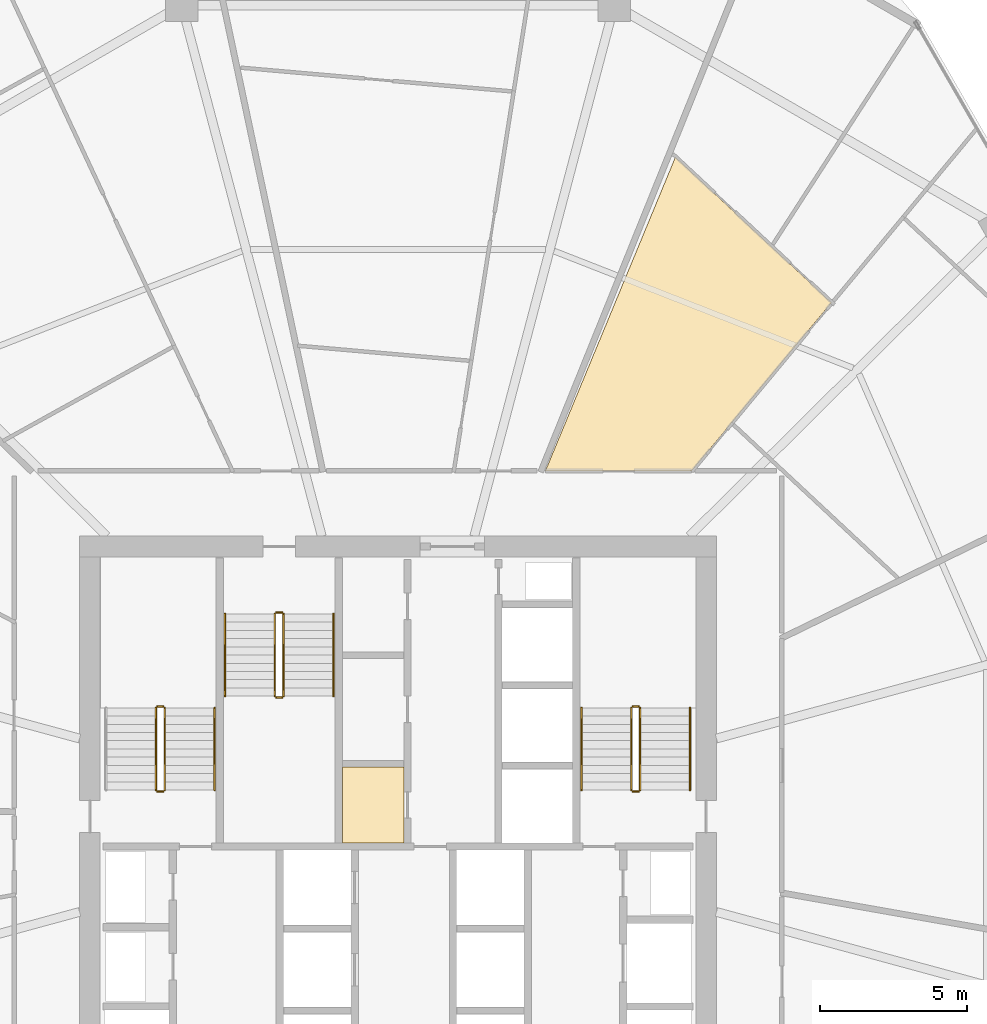
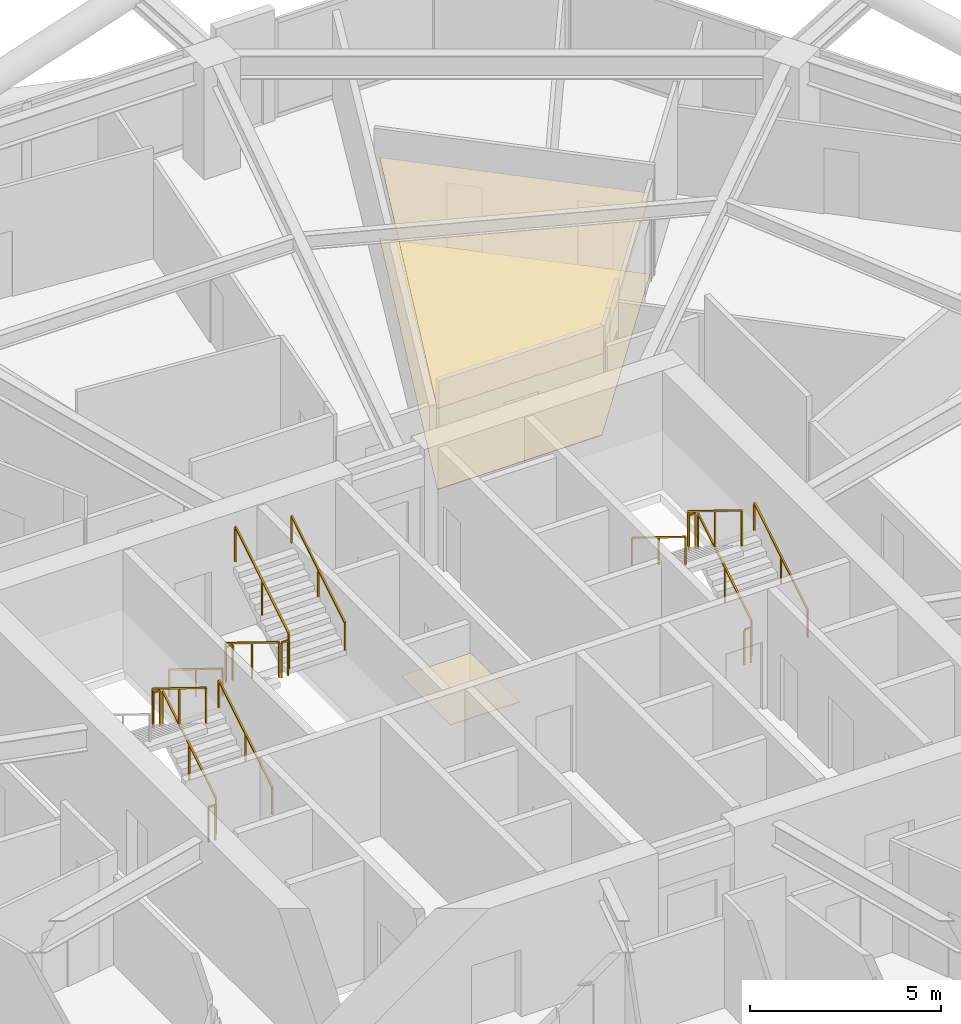
# One storey, part 34 of 35: 17 railings, 3 coverings.
"""IFC4 building model written with IfcOpenShell, lengths in metres."""

import ifcopenshell
import ifcopenshell.guid

model = None  # the IFC model being written
_history = None  # IfcOwnerHistory: only IFC2X3 demands one
_inside = {}  # id of a spatial element -> (the spatial element, [elements in it])
_under = {}  # id of a project, library or spatial element -> (it, [spatial elements below it])
_declared = {}  # id of a project -> (the project, [libraries it declares])
_typed = {}  # id of a type object -> (the type object, [elements of that type])
_made_of = {}  # id of a material, layer set ... -> (it, [elements and type objects made of it])


def new_model(schema):
    """Start an empty IFC model of exactly this schema.

    Asked for "IFC4X3", IfcOpenShell would pick the latest addendum, in which some entities
    have other attributes; the version numbers below select the first issue.
    IFC2X3 requires an IfcOwnerHistory on every rooted entity: one is made here for all.
    """
    global model, _history
    if schema == "IFC4X3":
        model = ifcopenshell.file(schema_version=(4, 3, 0, 0))
    else:
        model = ifcopenshell.file(schema=schema)
    _inside.clear()
    _under.clear()
    _declared.clear()
    _typed.clear()
    _made_of.clear()
    _history = None
    if model.schema == "IFC2X3":
        org = make("IfcOrganization", Name="unknown")
        user = make(
            "IfcPersonAndOrganization",
            ThePerson=make("IfcPerson", FamilyName="unknown"),
            TheOrganization=org,
        )
        app = make(
            "IfcApplication",
            ApplicationDeveloper=org,
            Version="unknown",
            ApplicationFullName="unknown",
            ApplicationIdentifier="unknown",
        )
        _history = make(
            "IfcOwnerHistory",
            OwningUser=user,
            OwningApplication=app,
            ChangeAction="ADDED",
            CreationDate=0,
        )
    return model


def make(cls, **values):
    """One entity of the class cls with the attributes given. An attribute that is None is left unset."""
    return model.create_entity(
        cls, **{name: value for name, value in values.items() if value is not None}
    )


def rooted(cls, **values):
    """An entity with a GlobalId (a new one), such as an element, a storey or a relation."""
    return make(cls, GlobalId=ifcopenshell.guid.new(), OwnerHistory=_history, **values)


def si_unit(unit_type, name, prefix=None):
    """IfcSIUnit, for example si_unit("LENGTHUNIT", "METRE", prefix="MILLI")."""
    return make("IfcSIUnit", UnitType=unit_type, Prefix=prefix, Name=name)


def assignment(units):
    """IfcUnitAssignment: the units of a project."""
    return None if units is None else make("IfcUnitAssignment", Units=units)


def point(xyz):
    """IfcCartesianPoint."""
    return None if xyz is None else make("IfcCartesianPoint", Coordinates=xyz)


def direction(xyz):
    """IfcDirection."""
    return None if xyz is None else make("IfcDirection", DirectionRatios=xyz)


def frame(location, z_axis=None, x_axis=None):
    """IfcAxis2Placement3D, a coordinate frame: its origin and axes. An axis left out is left unset."""
    return make(
        "IfcAxis2Placement3D",
        Location=point(location),
        Axis=direction(z_axis),
        RefDirection=direction(x_axis),
    )


def frame_2d(location, x_axis=None):
    """IfcAxis2Placement2D, a coordinate frame in the plane: its origin and x axis."""
    return make(
        "IfcAxis2Placement2D", Location=point(location), RefDirection=direction(x_axis)
    )


def origin():
    """The frame at (0, 0, 0) with its axes left unset."""
    return frame((0.0, 0.0, 0.0))


def origin_2d():
    """The frame at (0, 0) in the plane with its x axis left unset."""
    return frame_2d((0.0, 0.0))


def place(relative_to, where):
    """IfcLocalPlacement: puts the frame where relative to a parent placement (None: the world)."""
    return make(
        "IfcLocalPlacement", PlacementRelTo=relative_to, RelativePlacement=where
    )


def context(
    kind, dimensions, precision=None, world=None, true_north=None, identifier=None
):
    """IfcGeometricRepresentationContext, for example the 3D "Model" context."""
    return make(
        "IfcGeometricRepresentationContext",
        ContextIdentifier=identifier,
        ContextType=kind,
        CoordinateSpaceDimension=dimensions,
        Precision=precision,
        WorldCoordinateSystem=world,
        TrueNorth=true_north,
    )


def subcontext(parent, identifier, kind, view, scale=None):
    """IfcGeometricRepresentationSubContext, for example "Body" below "Model"."""
    return make(
        "IfcGeometricRepresentationSubContext",
        ContextIdentifier=identifier,
        ContextType=kind,
        ParentContext=parent,
        TargetScale=scale,
        TargetView=view,
    )


def project(units=None, contexts=None):
    """IfcProject with its units and contexts."""
    return rooted(
        "IfcProject",
        Name="project",
        RepresentationContexts=contexts,
        UnitsInContext=assignment(units),
    )


def spatial(cls, under=None, at=None, **own):
    """A site, building, storey or space (cls), placed at a placement, below another one or the project."""
    s = rooted(cls, ObjectPlacement=at, **own)
    if under is not None:
        _under.setdefault(under.id(), (under, []))[1].append(s)
    return s


def polyline(points):
    """IfcPolyline through the points."""
    return make("IfcPolyline", Points=[point(p) for p in points])


def profile(cls, at=None, kind="AREA", **sizes):
    """A parametric profile (cls). Its sizes go by their IFC names, for example OverallWidth=200.0."""
    return make(cls, ProfileType=kind, Position=at, **sizes)


def rectangle(**sizes):
    """IfcRectangleProfileDef."""
    return profile("IfcRectangleProfileDef", **sizes)


def outline(outer, holes=None, kind="AREA"):
    """IfcArbitraryClosedProfileDef: a profile drawn as a closed curve; with holes, ...WithVoids."""
    if holes is None:
        return make("IfcArbitraryClosedProfileDef", ProfileType=kind, OuterCurve=outer)
    return make(
        "IfcArbitraryProfileDefWithVoids",
        ProfileType=kind,
        OuterCurve=outer,
        InnerCurves=holes,
    )


def extrude(swept, where, along, depth):
    """IfcExtrudedAreaSolid: the profile swept, set in the frame where, extruded along a direction by depth."""
    return make(
        "IfcExtrudedAreaSolid",
        SweptArea=swept,
        Position=where,
        ExtrudedDirection=direction(along),
        Depth=depth,
    )


def shape(context_of_items, identifier, shape_type, items):
    """IfcShapeRepresentation: the items that make up one representation, for example the "Body"."""
    return make(
        "IfcShapeRepresentation",
        ContextOfItems=context_of_items,
        RepresentationIdentifier=identifier,
        RepresentationType=shape_type,
        Items=items,
    )


def material(Name=None, Category=None):
    """IfcMaterial."""
    return make("IfcMaterial", Name=Name, Category=Category)


def layer(
    of_material, thickness, ventilated=None, Name=None, Category=None, Priority=None
):
    """IfcMaterialLayer: one layer of a wall or slab, of a material (None: an air gap)."""
    return make(
        "IfcMaterialLayer",
        Material=of_material,
        LayerThickness=thickness,
        IsVentilated=ventilated,
        Name=Name,
        Category=Category,
        Priority=Priority,
    )


def layer_set(layers, Name=None):
    """IfcMaterialLayerSet."""
    return make("IfcMaterialLayerSet", MaterialLayers=layers, LayerSetName=Name)


def made_of(thing, what):
    """Note that an element or type object is made of a material, layer set ...; save() writes the relation."""
    if what is not None:
        _made_of.setdefault(what.id(), (what, []))[1].append(thing)
    return thing


def type_object(cls, material=None, **own):
    """A type object (cls), such as IfcWallType, which elements share."""
    return made_of(rooted(cls, **own), material)


def element(
    cls,
    number,
    at=None,
    inside=None,
    cuts=None,
    type_object=None,
    material=None,
    context=None,
    identifier="Body",
    shape_type=None,
    held_by="IfcProductDefinitionShape",
    body=None,
    shapes=None,
    **own,
):
    """One element of the class cls, such as IfcWall. Its Tag is "e" and its number.

    at: its placement. inside: the storey or other place that contains it. cuts: it is an
    opening in that element (IfcRelVoidsElement). A single representation is given by context,
    identifier, shape_type and body (its items); several are given by shapes. held_by: the class
    of the entity that holds the representations. save() writes the other relations.
    """
    e = rooted(cls, Tag="e%d" % number, ObjectPlacement=at, **own)
    if body is not None:
        shapes = [shape(context, identifier, shape_type, body)]
    if shapes is not None:
        e.Representation = make(held_by, Representations=shapes)
    if inside is not None:
        _inside.setdefault(inside.id(), (inside, []))[1].append(e)
    if cuts is not None:
        rooted(
            "IfcRelVoidsElement", RelatingBuildingElement=cuts, RelatedOpeningElement=e
        )
    if type_object is not None:
        _typed.setdefault(type_object.id(), (type_object, []))[1].append(e)
    return made_of(e, material)


def aggregate(whole, parts):
    """IfcRelAggregates: a whole, such as a stair, and the parts it consists of."""
    return rooted("IfcRelAggregates", RelatingObject=whole, RelatedObjects=parts)


def save(model, path):
    """Write the relations noted so far, then the file.

    IfcRelAggregates (storeys below a building ...), IfcRelContainedInSpatialStructure (elements
    in a storey), IfcRelDefinesByType, IfcRelAssociatesMaterial and IfcRelDeclares: one each for
    every whole, place, type object, material and project.
    """
    for whole, parts in _under.values():
        aggregate(whole, parts)
    for where, things in _inside.values():
        rooted(
            "IfcRelContainedInSpatialStructure",
            RelatedElements=things,
            RelatingStructure=where,
        )
    for kind, things in _typed.values():
        rooted("IfcRelDefinesByType", RelatedObjects=things, RelatingType=kind)
    for what, things in _made_of.values():
        rooted("IfcRelAssociatesMaterial", RelatedObjects=things, RelatingMaterial=what)
    for by, libraries in _declared.values():
        rooted("IfcRelDeclares", RelatingContext=by, RelatedDefinitions=libraries)
    model.write(path)


model = new_model("IFC4")

# Units and contexts
model_context = context("Model", 3, precision=1e-05, world=origin(), true_north=direction((0.0, 1.0)))
body_context = subcontext(model_context, "Body", "Model", "MODEL_VIEW")
ifc_project = project(units=[si_unit("LENGTHUNIT", "METRE"), si_unit("AREAUNIT", "SQUARE_METRE"), si_unit("VOLUMEUNIT", "CUBIC_METRE"), si_unit("PLANEANGLEUNIT", "RADIAN"), si_unit("MASSUNIT", "GRAM", prefix="KILO")], contexts=[model_context])

# Site, building, storey
site_placement = place(None, origin())
site = spatial("IfcSite", under=ifc_project, at=site_placement, CompositionType="ELEMENT")
building_placement = place(site_placement, origin())
building = spatial("IfcBuilding", under=site, at=building_placement, Name="Zuhravey Tower", CompositionType="ELEMENT")
storey_placement = place(building_placement, frame((0.0, 0.0, 138.0)))
storey = spatial("IfcBuildingStorey", under=building, at=storey_placement, Name="L34", CompositionType="ELEMENT", Elevation=138.0)

# Coverings
ifc_material_1 = material(Name="Mineral-fibre acoustic ceiling tile")
ifc_layer_1 = layer(ifc_material_1, 0.02490234375)
ifc_layer_set_1 = layer_set([ifc_layer_1], Name="Mineral-fibre acoustic ceiling tile")
covering_type_1 = type_object("IfcCoveringType", Name="Acoustic Suspended Ceiling", PredefinedType="CEILING", material=ifc_layer_set_1)
covering_1_placement = place(storey_placement, frame((0.0, 0.0, 2.590087890625)))
element("IfcCovering", 1, at=covering_1_placement, inside=storey, type_object=covering_type_1, Name="L34 Acoustic Suspended Ceiling CLG1", PredefinedType="CEILING", context=body_context, shape_type="SweptSolid", body=[
    extrude(outline(polyline([(46.010009765625, 44.080078125), (41.025390625, 44.080078125), (45.453125, 54.76953125), (50.77099609375, 49.810302734375), (46.010009765625, 44.080078125)])), origin(), (0.0, 0.0, 1.0), 0.02490234375),
])
ifc_material_2 = material(Name="Porcelain tile finish")
ifc_layer_2 = layer(ifc_material_2, 0.02001953125)
ifc_layer_set_2 = layer_set([ifc_layer_2], Name="Porcelain tile finish")
covering_type_2 = type_object("IfcCoveringType", Name="Apartment Ondol Porcelain Flooring", PredefinedType="FLOORING", material=ifc_layer_set_2)
covering_2_placement = place(storey_placement, origin())
element("IfcCovering", 2, at=covering_2_placement, inside=storey, type_object=covering_type_2, Name="L34 Principal Room Acoustic Flooring", PredefinedType="FLOORING", context=body_context, shape_type="SweptSolid", body=[
    extrude(outline(polyline([(46.010009765625, 44.080078125), (41.025390625, 44.080078125), (45.453125, 54.76953125), (50.77099609375, 49.810302734375), (46.010009765625, 44.080078125)])), origin(), (0.0, 0.0, 1.0), 0.02001953125),
])
ifc_material_3 = material(Name="Moisture-resistant gypsum ceiling board")
ifc_layer_3 = layer(ifc_material_3, 0.02001953125)
ifc_layer_set_3 = layer_set([ifc_layer_3], Name="Moisture-resistant gypsum ceiling board")
covering_type_3 = type_object("IfcCoveringType", Name="Moisture-Resistant Ceiling", PredefinedType="CEILING", material=ifc_layer_set_3)
covering_3_placement = place(storey_placement, frame((0.0, 0.0, 2.590087890625)))
element("IfcCovering", 3, at=covering_3_placement, inside=storey, type_object=covering_type_3, Name="L34 Wet-Room Ceiling CLG2", PredefinedType="CEILING", context=body_context, shape_type="SweptSolid", body=[
    extrude(outline(polyline([(36.199951171875, 31.39990234375), (36.199951171875, 33.97998046875), (34.10009765625, 33.97998046875), (34.10009765625, 31.39990234375), (36.199951171875, 31.39990234375)])), origin(), (0.0, 0.0, 1.0), 0.02001953125),
])

# Railings
ifc_material_4 = material(Name="Brushed stainless steel", Category="steel")
railing_type_1 = type_object("IfcRailingType", Name="Stair Wall Handrail 900", PredefinedType="HANDRAIL", material=ifc_material_4)
for number, where, name in (
    (4, (29.75, 33.199951171875, 0.172607421875), "L34 ST1 stair handrail 1"),
    (5, (45.949951171875, 33.199951171875, 0.172607421875), "L34 ST2 stair handrail 1"),
):
    element("IfcRailing", number, at=place(storey_placement, frame(where)), inside=storey, type_object=railing_type_1, Name=name, PredefinedType="HANDRAIL", context=body_context, shape_type="SweptSolid", body=[
        extrude(rectangle(XDim=0.048095703125, YDim=0.048095703125, at=origin_2d()), frame((0.0, 0.001708984375, 0.876953125), z_axis=(0.0, 0.851089632645, 0.525020415988), x_axis=(-1.0, 0.0, 0.0)), (0.0, 0.0, 1.0), 3.285888671875),
        extrude(rectangle(XDim=0.0419921875, YDim=0.0419921875, at=origin_2d()), origin(), (0.0, 0.0, 1.0), 0.849853515625),
        extrude(rectangle(XDim=0.0419921875, YDim=0.0419921875, at=origin_2d()), frame((0.0, 1.39990234375, 0.86376953125)), (0.0, 0.0, 1.0), 0.849853515625),
        extrude(rectangle(XDim=0.0419921875, YDim=0.0419921875, at=origin_2d()), frame((0.0, 2.800048828125, 1.727294921875)), (0.0, 0.0, 1.0), 0.849853515625),
    ])
for number, where, name in (
    (6, (42.25, 36.0, 2.07275390625), "L34 ST2 stair handrail 2"),
    (7, (30.10009765625, 39.199951171875, 0.172607421875), "L34 ST3 stair handrail 1"),
):
    element("IfcRailing", number, at=place(storey_placement, frame(where)), inside=storey, type_object=railing_type_1, Name=name, PredefinedType="HANDRAIL", context=body_context, shape_type="SweptSolid", body=[
        extrude(rectangle(XDim=0.048095703125, YDim=0.048095703125, at=origin_2d()), frame((0.0, -0.001708984375, 0.876953125), z_axis=(0.0, -0.851089632645, 0.525020415988), x_axis=(1.0, 0.0, 0.0)), (0.0, 0.0, 1.0), 3.285888671875),
        extrude(rectangle(XDim=0.0419921875, YDim=0.0419921875, at=origin_2d()), origin(), (0.0, 0.0, 1.0), 0.849853515625),
        extrude(rectangle(XDim=0.0419921875, YDim=0.0419921875, at=origin_2d()), frame((0.0, -1.39990234375, 0.86376953125)), (0.0, 0.0, 1.0), 0.849853515625),
        extrude(rectangle(XDim=0.0419921875, YDim=0.0419921875, at=origin_2d()), frame((0.0, -2.800048828125, 1.727294921875)), (0.0, 0.0, 1.0), 0.849853515625),
    ])
railing_1_placement = place(storey_placement, frame((33.800048828125, 36.39990234375, 2.07275390625)))
element("IfcRailing", 8, at=railing_1_placement, inside=storey, type_object=railing_type_1, Name="L34 ST3 stair handrail 2", PredefinedType="HANDRAIL", context=body_context, shape_type="SweptSolid", body=[
    extrude(rectangle(XDim=0.048095703125, YDim=0.048095703125, at=origin_2d()), frame((0.0, 0.001708984375, 0.876953125), z_axis=(0.0, 0.851089632645, 0.525020415988), x_axis=(-1.0, 0.0, 0.0)), (0.0, 0.0, 1.0), 3.285888671875),
    extrude(rectangle(XDim=0.0419921875, YDim=0.0419921875, at=origin_2d()), origin(), (0.0, 0.0, 1.0), 0.849853515625),
    extrude(rectangle(XDim=0.0419921875, YDim=0.0419921875, at=origin_2d()), frame((0.0, 1.39990234375, 0.86376953125)), (0.0, 0.0, 1.0), 0.849853515625),
    extrude(rectangle(XDim=0.0419921875, YDim=0.0419921875, at=origin_2d()), frame((0.0, 2.800048828125, 1.727294921875)), (0.0, 0.0, 1.0), 0.849853515625),
])
ifc_material_5 = material(Name="Painted tubular steel", Category="steel")
railing_type_2 = type_object("IfcRailingType", Name="Stair Well Guardrail 1150", PredefinedType="GUARDRAIL", material=ifc_material_5)
railing_2_placement = place(storey_placement, frame((28.050048828125, 33.199951171875, 0.172607421875)))
element("IfcRailing", 9, at=railing_2_placement, inside=storey, type_object=railing_type_2, Name="L34 ST1 stair guard 1", PredefinedType="GUARDRAIL", context=body_context, shape_type="SweptSolid", body=[
    extrude(rectangle(XDim=0.048095703125, YDim=0.048095703125, at=origin_2d()), frame((0.0, 0.001708984375, 1.126953125), z_axis=(0.0, 0.851089632645, 0.525020415988), x_axis=(-1.0, 0.0, 0.0)), (0.0, 0.0, 1.0), 3.285888671875),
    extrude(rectangle(XDim=0.0419921875, YDim=0.0419921875, at=origin_2d()), origin(), (0.0, 0.0, 1.0), 1.099853515625),
    extrude(rectangle(XDim=0.0419921875, YDim=0.0419921875, at=origin_2d()), frame((0.0, 1.39990234375, 0.86376953125)), (0.0, 0.0, 1.0), 1.099853515625),
    extrude(rectangle(XDim=0.0419921875, YDim=0.0419921875, at=origin_2d()), frame((0.0, 2.800048828125, 1.727294921875)), (0.0, 0.0, 1.0), 1.099853515625),
])
railing_3_placement = place(storey_placement, frame((28.0, 36.050048828125, 1.89990234375)))
element("IfcRailing", 10, at=railing_3_placement, inside=storey, type_object=railing_type_2, Name="L34 ST1 stair guard 2", PredefinedType="GUARDRAIL", context=body_context, shape_type="SweptSolid", body=[
    extrude(rectangle(XDim=0.048095703125, YDim=0.048095703125, at=origin_2d()), frame((-0.001953125, 0.0, 1.1259765625), z_axis=(-1.0, 0.0, 0.0), x_axis=(0.0, -1.0, 0.0)), (0.0, 0.0, 1.0), 0.196044921875),
    extrude(rectangle(XDim=0.0419921875, YDim=0.0419921875, at=origin_2d()), origin(), (0.0, 0.0, 1.0), 1.099853515625),
    extrude(rectangle(XDim=0.0419921875, YDim=0.0419921875, at=origin_2d()), frame((-0.199951171875, 0.0, 0.0)), (0.0, 0.0, 1.0), 1.099853515625),
])
railing_4_placement = place(storey_placement, frame((27.75, 36.0, 2.07275390625)))
element("IfcRailing", 11, at=railing_4_placement, inside=storey, type_object=railing_type_2, Name="L34 ST1 stair guard 3", PredefinedType="GUARDRAIL", context=body_context, shape_type="SweptSolid", body=[
    extrude(rectangle(XDim=0.048095703125, YDim=0.048095703125, at=origin_2d()), frame((0.0, -0.001708984375, 1.126953125), z_axis=(0.0, -0.851089632645, 0.525020415988), x_axis=(1.0, 0.0, 0.0)), (0.0, 0.0, 1.0), 3.285888671875),
    extrude(rectangle(XDim=0.0419921875, YDim=0.0419921875, at=origin_2d()), origin(), (0.0, 0.0, 1.0), 1.099853515625),
    extrude(rectangle(XDim=0.0419921875, YDim=0.0419921875, at=origin_2d()), frame((0.0, -1.39990234375, 0.86376953125)), (0.0, 0.0, 1.0), 1.099853515625),
    extrude(rectangle(XDim=0.0419921875, YDim=0.0419921875, at=origin_2d()), frame((0.0, -2.800048828125, 1.727294921875)), (0.0, 0.0, 1.0), 1.099853515625),
])
railing_5_placement = place(storey_placement, frame((28.0, 33.14990234375, 0.0)))
element("IfcRailing", 12, at=railing_5_placement, inside=storey, type_object=railing_type_2, Name="L34 ST1 stair guard 4", PredefinedType="GUARDRAIL", context=body_context, shape_type="SweptSolid", body=[
    extrude(rectangle(XDim=0.048095703125, YDim=0.048095703125, at=origin_2d()), frame((-0.001953125, 0.0, 1.1259765625), z_axis=(-1.0, 0.0, 0.0), x_axis=(0.0, -1.0, 0.0)), (0.0, 0.0, 1.0), 0.196044921875),
    extrude(rectangle(XDim=0.0419921875, YDim=0.0419921875, at=origin_2d()), origin(), (0.0, 0.0, 1.0), 1.099853515625),
    extrude(rectangle(XDim=0.0419921875, YDim=0.0419921875, at=origin_2d()), frame((-0.199951171875, 0.0, 0.0)), (0.0, 0.0, 1.0), 1.099853515625),
])
railing_6_placement = place(storey_placement, frame((44.25, 33.199951171875, 0.172607421875)))
element("IfcRailing", 13, at=railing_6_placement, inside=storey, type_object=railing_type_2, Name="L34 ST2 stair guard 1", PredefinedType="GUARDRAIL", context=body_context, shape_type="SweptSolid", body=[
    extrude(rectangle(XDim=0.048095703125, YDim=0.048095703125, at=origin_2d()), frame((0.0, 0.001708984375, 1.126953125), z_axis=(0.0, 0.851089632645, 0.525020415988), x_axis=(-1.0, 0.0, 0.0)), (0.0, 0.0, 1.0), 3.285888671875),
    extrude(rectangle(XDim=0.0419921875, YDim=0.0419921875, at=origin_2d()), origin(), (0.0, 0.0, 1.0), 1.099853515625),
    extrude(rectangle(XDim=0.0419921875, YDim=0.0419921875, at=origin_2d()), frame((0.0, 1.39990234375, 0.86376953125)), (0.0, 0.0, 1.0), 1.099853515625),
    extrude(rectangle(XDim=0.0419921875, YDim=0.0419921875, at=origin_2d()), frame((0.0, 2.800048828125, 1.727294921875)), (0.0, 0.0, 1.0), 1.099853515625),
])
railing_7_placement = place(storey_placement, frame((44.199951171875, 36.050048828125, 1.89990234375)))
element("IfcRailing", 14, at=railing_7_placement, inside=storey, type_object=railing_type_2, Name="L34 ST2 stair guard 2", PredefinedType="GUARDRAIL", context=body_context, shape_type="SweptSolid", body=[
    extrude(rectangle(XDim=0.048095703125, YDim=0.048095703125, at=origin_2d()), frame((-0.001953125, 0.0, 1.1259765625), z_axis=(-1.0, 0.0, 0.0), x_axis=(0.0, -1.0, 0.0)), (0.0, 0.0, 1.0), 0.196044921875),
    extrude(rectangle(XDim=0.0419921875, YDim=0.0419921875, at=origin_2d()), origin(), (0.0, 0.0, 1.0), 1.099853515625),
    extrude(rectangle(XDim=0.0419921875, YDim=0.0419921875, at=origin_2d()), frame((-0.199951171875, 0.0, 0.0)), (0.0, 0.0, 1.0), 1.099853515625),
])
railing_8_placement = place(storey_placement, frame((43.949951171875, 36.0, 2.07275390625)))
element("IfcRailing", 15, at=railing_8_placement, inside=storey, type_object=railing_type_2, Name="L34 ST2 stair guard 3", PredefinedType="GUARDRAIL", context=body_context, shape_type="SweptSolid", body=[
    extrude(rectangle(XDim=0.048095703125, YDim=0.048095703125, at=origin_2d()), frame((0.0, -0.001708984375, 1.126953125), z_axis=(0.0, -0.851089632645, 0.525020415988), x_axis=(1.0, 0.0, 0.0)), (0.0, 0.0, 1.0), 3.285888671875),
    extrude(rectangle(XDim=0.0419921875, YDim=0.0419921875, at=origin_2d()), origin(), (0.0, 0.0, 1.0), 1.099853515625),
    extrude(rectangle(XDim=0.0419921875, YDim=0.0419921875, at=origin_2d()), frame((0.0, -1.39990234375, 0.86376953125)), (0.0, 0.0, 1.0), 1.099853515625),
    extrude(rectangle(XDim=0.0419921875, YDim=0.0419921875, at=origin_2d()), frame((0.0, -2.800048828125, 1.727294921875)), (0.0, 0.0, 1.0), 1.099853515625),
])
railing_9_placement = place(storey_placement, frame((44.199951171875, 33.14990234375, 0.0)))
element("IfcRailing", 16, at=railing_9_placement, inside=storey, type_object=railing_type_2, Name="L34 ST2 stair guard 4", PredefinedType="GUARDRAIL", context=body_context, shape_type="SweptSolid", body=[
    extrude(rectangle(XDim=0.048095703125, YDim=0.048095703125, at=origin_2d()), frame((-0.001953125, 0.0, 1.1259765625), z_axis=(-1.0, 0.0, 0.0), x_axis=(0.0, -1.0, 0.0)), (0.0, 0.0, 1.0), 0.196044921875),
    extrude(rectangle(XDim=0.0419921875, YDim=0.0419921875, at=origin_2d()), origin(), (0.0, 0.0, 1.0), 1.099853515625),
    extrude(rectangle(XDim=0.0419921875, YDim=0.0419921875, at=origin_2d()), frame((-0.199951171875, 0.0, 0.0)), (0.0, 0.0, 1.0), 1.099853515625),
])
railing_10_placement = place(storey_placement, frame((31.800048828125, 39.199951171875, 0.172607421875)))
element("IfcRailing", 17, at=railing_10_placement, inside=storey, type_object=railing_type_2, Name="L34 ST3 stair guard 1", PredefinedType="GUARDRAIL", context=body_context, shape_type="SweptSolid", body=[
    extrude(rectangle(XDim=0.048095703125, YDim=0.048095703125, at=origin_2d()), frame((0.0, -0.001708984375, 1.126953125), z_axis=(0.0, -0.851089632645, 0.525020415988), x_axis=(1.0, 0.0, 0.0)), (0.0, 0.0, 1.0), 3.285888671875),
    extrude(rectangle(XDim=0.0419921875, YDim=0.0419921875, at=origin_2d()), origin(), (0.0, 0.0, 1.0), 1.099853515625),
    extrude(rectangle(XDim=0.0419921875, YDim=0.0419921875, at=origin_2d()), frame((0.0, -1.39990234375, 0.86376953125)), (0.0, 0.0, 1.0), 1.099853515625),
    extrude(rectangle(XDim=0.0419921875, YDim=0.0419921875, at=origin_2d()), frame((0.0, -2.800048828125, 1.727294921875)), (0.0, 0.0, 1.0), 1.099853515625),
])
railing_11_placement = place(storey_placement, frame((31.85009765625, 36.35009765625, 1.89990234375)))
element("IfcRailing", 18, at=railing_11_placement, inside=storey, type_object=railing_type_2, Name="L34 ST3 stair guard 2", PredefinedType="GUARDRAIL", context=body_context, shape_type="SweptSolid", body=[
    extrude(rectangle(XDim=0.048095703125, YDim=0.048095703125, at=origin_2d()), frame((0.001953125, 0.0, 1.1259765625), z_axis=(1.0, 0.0, 0.0), x_axis=(0.0, 1.0, 0.0)), (0.0, 0.0, 1.0), 0.196044921875),
    extrude(rectangle(XDim=0.0419921875, YDim=0.0419921875, at=origin_2d()), origin(), (0.0, 0.0, 1.0), 1.099853515625),
    extrude(rectangle(XDim=0.0419921875, YDim=0.0419921875, at=origin_2d()), frame((0.199951171875, 0.0, 0.0)), (0.0, 0.0, 1.0), 1.099853515625),
])
railing_12_placement = place(storey_placement, frame((32.10009765625, 36.39990234375, 2.07275390625)))
element("IfcRailing", 19, at=railing_12_placement, inside=storey, type_object=railing_type_2, Name="L34 ST3 stair guard 3", PredefinedType="GUARDRAIL", context=body_context, shape_type="SweptSolid", body=[
    extrude(rectangle(XDim=0.048095703125, YDim=0.048095703125, at=origin_2d()), frame((0.0, 0.001708984375, 1.126953125), z_axis=(0.0, 0.851089632645, 0.525020415988), x_axis=(-1.0, 0.0, 0.0)), (0.0, 0.0, 1.0), 3.285888671875),
    extrude(rectangle(XDim=0.0419921875, YDim=0.0419921875, at=origin_2d()), origin(), (0.0, 0.0, 1.0), 1.099853515625),
    extrude(rectangle(XDim=0.0419921875, YDim=0.0419921875, at=origin_2d()), frame((0.0, 1.39990234375, 0.86376953125)), (0.0, 0.0, 1.0), 1.099853515625),
    extrude(rectangle(XDim=0.0419921875, YDim=0.0419921875, at=origin_2d()), frame((0.0, 2.800048828125, 1.727294921875)), (0.0, 0.0, 1.0), 1.099853515625),
])
railing_13_placement = place(storey_placement, frame((31.85009765625, 39.25, 0.0)))
element("IfcRailing", 20, at=railing_13_placement, inside=storey, type_object=railing_type_2, Name="L34 ST3 stair guard 4", PredefinedType="GUARDRAIL", context=body_context, shape_type="SweptSolid", body=[
    extrude(rectangle(XDim=0.048095703125, YDim=0.048095703125, at=origin_2d()), frame((0.001953125, 0.0, 1.1259765625), z_axis=(1.0, 0.0, 0.0), x_axis=(0.0, 1.0, 0.0)), (0.0, 0.0, 1.0), 0.196044921875),
    extrude(rectangle(XDim=0.0419921875, YDim=0.0419921875, at=origin_2d()), origin(), (0.0, 0.0, 1.0), 1.099853515625),
    extrude(rectangle(XDim=0.0419921875, YDim=0.0419921875, at=origin_2d()), frame((0.199951171875, 0.0, 0.0)), (0.0, 0.0, 1.0), 1.099853515625),
])

save(model, "model.ifc")
